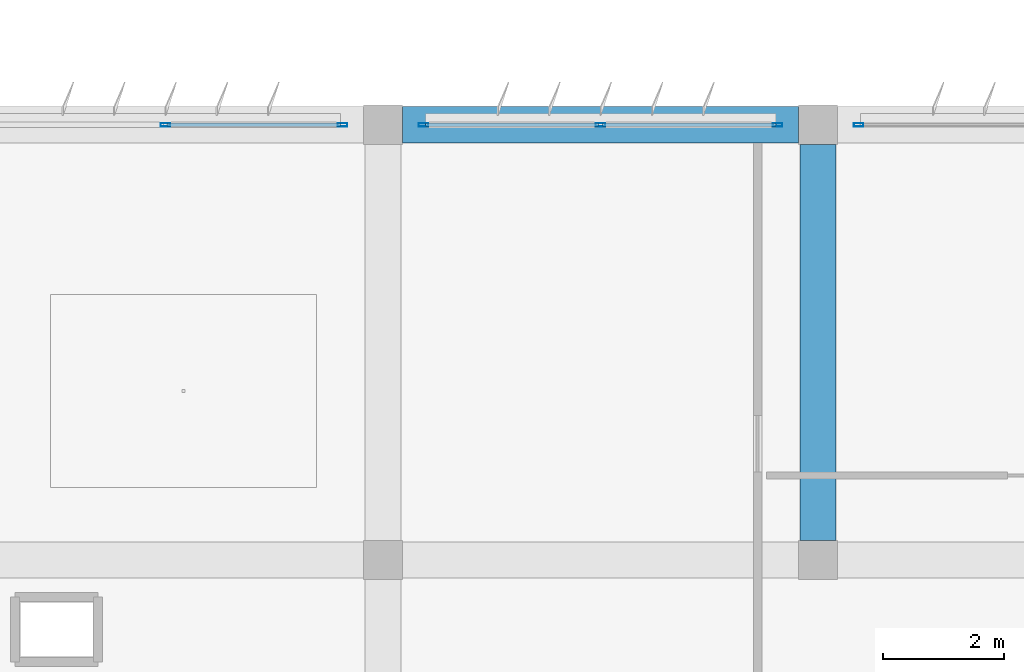
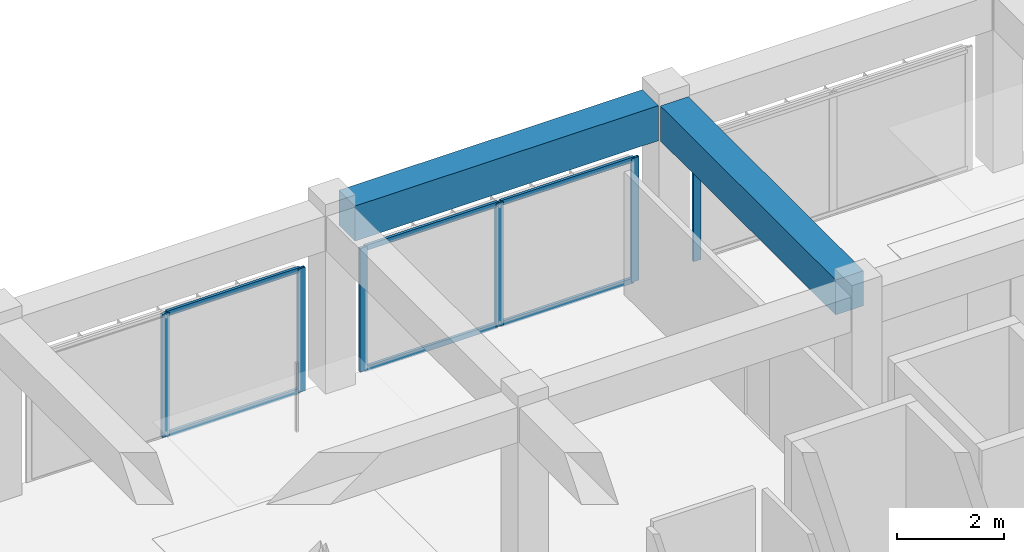
# One storey, part 23 of 53: 12 members, 2 beams, 3 elements without a shape of their own.
"""IFC4 building model written with IfcOpenShell, lengths in metres."""

from ifc_helpers import new_model, si_unit, direction, frame, origin, origin_2d, place, context, subcontext, project, spatial, rectangle, hollow_rectangle, extrude, material, material_profile, profile_set, type_object, element, aggregate, save


model = new_model("IFC4")

# Units and contexts
model_context = context("Model", 3, precision=1e-05, world=origin(), true_north=direction((0.0, 1.0)))
body_context = subcontext(model_context, "Body", "Model", "MODEL_VIEW")
ifc_project = project(units=[si_unit("LENGTHUNIT", "METRE"), si_unit("AREAUNIT", "SQUARE_METRE"), si_unit("VOLUMEUNIT", "CUBIC_METRE"), si_unit("PLANEANGLEUNIT", "RADIAN"), si_unit("MASSUNIT", "GRAM", prefix="KILO")], contexts=[model_context])

# Site, building, storey
site_placement = place(None, origin())
site = spatial("IfcSite", under=ifc_project, at=site_placement, CompositionType="ELEMENT")
building_placement = place(site_placement, origin())
building = spatial("IfcBuilding", under=site, at=building_placement, Name="Kazehaya Institute of Natural Sciences", CompositionType="ELEMENT")
storey_placement = place(building_placement, frame((0.0, 0.0, 33.300048828125)))
storey = spatial("IfcBuildingStorey", under=building, at=storey_placement, Name="L07", CompositionType="ELEMENT", Elevation=33.300048828125)

# Beams
ifc_material_1 = material(Name="Concrete Fc36", Category="concrete")
ifc_material_profile_1 = material_profile(ifc_material_1, rectangle(XDim=0.60009765625, YDim=0.800048828125, at=origin_2d()), Name="RC-600x800")
ifc_profile_set_1 = profile_set([ifc_material_profile_1], Name="Concrete Fc36")
beam_type = type_object("IfcBeamType", Name="BM-G-600x800", PredefinedType="BEAM", material=ifc_profile_set_1)
beam_1_placement = place(storey_placement, frame((90.925048828125, 35.60009765625, 3.64990234375), z_axis=(1.0, 0.0, 0.0), x_axis=(0.0, 1.0, 0.0)))
element("IfcBeam", 1, at=beam_1_placement, inside=storey, type_object=beam_type, Name="L07 primary X girder BMX-L07-906-356", PredefinedType="BEAM", context=body_context, shape_type="SweptSolid", body=[
    extrude(rectangle(XDim=0.60009765625, YDim=0.800048828125, at=origin_2d()), origin(), (0.0, 0.0, 1.0), 6.550048828125),
])
beam_2_placement = place(storey_placement, frame((97.800048828125, 28.72509765625, 3.64990234375), z_axis=(0.0, 1.0, 0.0), x_axis=(-1.0, 0.0, 0.0)))
element("IfcBeam", 2, at=beam_2_placement, inside=storey, type_object=beam_type, Name="L07 primary Y girder BMY-L07-978-284", PredefinedType="BEAM", context=body_context, shape_type="SweptSolid", body=[
    extrude(rectangle(XDim=0.60009765625, YDim=0.800048828125, at=origin_2d()), origin(), (0.0, 0.0, 1.0), 6.5498046875),
])

# Curtain wall, members
ifc_material_2 = material(Name="Aluminium alloy A6063S-T5", Category="aluminium")
curtain_wall_type = type_object("IfcCurtainWallType", Name="CW-SYS-05", PredefinedType="NOTDEFINED", material=ifc_material_2)
curtain_wall_1_placement = place(storey_placement, origin())
curtain_wall_1 = element("IfcCurtainWall", 3, at=curtain_wall_1_placement, inside=storey, type_object=curtain_wall_type, Name="L07 unitised curtain wall CW-L07-161", PredefinedType="NOTDEFINED")
ifc_material_profile_2 = material_profile(ifc_material_2, hollow_rectangle(XDim=0.06005859375, YDim=0.159912109375, WallThickness=0.00390625, at=origin_2d()), Name="ALU-60x160x4")
ifc_profile_set_2 = profile_set([ifc_material_profile_2], Name="Aluminium alloy A6063S-T5")
member_type_1 = type_object("IfcMemberType", Name="CWM-160", PredefinedType="MULLION", material=ifc_profile_set_2)
member_1_placement = place(storey_placement, frame((87.0, 35.60009765625, 0.0), z_axis=(0.0, 0.0, 1.0), x_axis=(0.0, 1.0, 0.0)))
member_1 = element("IfcMember", 4, at=member_1_placement, type_object=member_type_1, Name="CW05 mullion 2", PredefinedType="MULLION", context=body_context, shape_type="SweptSolid", body=[
    extrude(hollow_rectangle(XDim=0.06005859375, YDim=0.159912109375, WallThickness=0.00390625, at=origin_2d()), origin(), (0.0, 0.0, 1.0), 2.820068359375),
])
member_2_placement = place(storey_placement, frame((89.929931640625, 35.60009765625, 0.0), z_axis=(0.0, 0.0, 1.0), x_axis=(0.0, 1.0, 0.0)))
member_2 = element("IfcMember", 5, at=member_2_placement, type_object=member_type_1, Name="CW05 mullion 3", PredefinedType="MULLION", context=body_context, shape_type="SweptSolid", body=[
    extrude(hollow_rectangle(XDim=0.06005859375, YDim=0.159912109375, WallThickness=0.00390625, at=origin_2d()), origin(), (0.0, 0.0, 1.0), 2.820068359375),
])

curtain_wall_2_placement = place(storey_placement, origin())
curtain_wall_2 = element("IfcCurtainWall", 6, at=curtain_wall_2_placement, inside=storey, type_object=curtain_wall_type, Name="L07 unitised curtain wall CW-L07-162", PredefinedType="NOTDEFINED")
member_3_placement = place(storey_placement, frame((91.27001953125, 35.60009765625, 0.0), z_axis=(0.0, 0.0, 1.0), x_axis=(0.0, 1.0, 0.0)))
member_3 = element("IfcMember", 7, at=member_3_placement, type_object=member_type_1, Name="CW05 mullion 1", PredefinedType="MULLION", context=body_context, shape_type="SweptSolid", body=[
    extrude(hollow_rectangle(XDim=0.06005859375, YDim=0.159912109375, WallThickness=0.00390625, at=origin_2d()), origin(), (0.0, 0.0, 1.0), 2.820068359375),
])
member_4_placement = place(storey_placement, frame((94.199951171875, 35.60009765625, 0.0), z_axis=(0.0, 0.0, 1.0), x_axis=(0.0, 1.0, 0.0)))
member_4 = element("IfcMember", 8, at=member_4_placement, type_object=member_type_1, Name="CW05 mullion 2", PredefinedType="MULLION", context=body_context, shape_type="SweptSolid", body=[
    extrude(hollow_rectangle(XDim=0.06005859375, YDim=0.159912109375, WallThickness=0.00390625, at=origin_2d()), origin(), (0.0, 0.0, 1.0), 2.820068359375),
])
member_5_placement = place(storey_placement, frame((97.1298828125, 35.60009765625, 0.0), z_axis=(0.0, 0.0, 1.0), x_axis=(0.0, 1.0, 0.0)))
member_5 = element("IfcMember", 9, at=member_5_placement, type_object=member_type_1, Name="CW05 mullion 3", PredefinedType="MULLION", context=body_context, shape_type="SweptSolid", body=[
    extrude(hollow_rectangle(XDim=0.06005859375, YDim=0.159912109375, WallThickness=0.00390625, at=origin_2d()), origin(), (0.0, 0.0, 1.0), 2.820068359375),
])

# Curtain wall, member
curtain_wall_3_placement = place(storey_placement, origin())
curtain_wall_3 = element("IfcCurtainWall", 10, at=curtain_wall_3_placement, inside=storey, type_object=curtain_wall_type, Name="L07 unitised curtain wall CW-L07-163", PredefinedType="NOTDEFINED")
member_6_placement = place(storey_placement, frame((98.469970703125, 35.60009765625, 0.0), z_axis=(0.0, 0.0, 1.0), x_axis=(0.0, 1.0, 0.0)))
member_6 = element("IfcMember", 11, at=member_6_placement, type_object=member_type_1, Name="CW05 mullion 1", PredefinedType="MULLION", context=body_context, shape_type="SweptSolid", body=[
    extrude(hollow_rectangle(XDim=0.06005859375, YDim=0.159912109375, WallThickness=0.00390625, at=origin_2d()), origin(), (0.0, 0.0, 1.0), 2.820068359375),
])
aggregate(curtain_wall_3, [member_6])

# Member
ifc_material_profile_3 = material_profile(ifc_material_2, hollow_rectangle(XDim=0.06005859375, YDim=0.1201171875, WallThickness=0.00341796875, at=origin_2d()), Name="ALU-60x120x3.5")
ifc_profile_set_3 = profile_set([ifc_material_profile_3], Name="Aluminium alloy A6063S-T5")
member_type_2 = type_object("IfcMemberType", Name="CWT-120", PredefinedType="USERDEFINED", material=ifc_profile_set_3)
member_7_placement = place(storey_placement, frame((87.030029296875, 35.60009765625, 0.030029296875), z_axis=(1.0, 0.0, 0.0), x_axis=(0.0, 1.0, 0.0)))
member_7 = element("IfcMember", 12, at=member_7_placement, type_object=member_type_2, Name="CW05 transom 2.1", ObjectType="TRANSOM", PredefinedType="USERDEFINED", context=body_context, shape_type="SweptSolid", body=[
    extrude(hollow_rectangle(XDim=0.06005859375, YDim=0.1201171875, WallThickness=0.00341796875, at=origin_2d()), origin(), (0.0, 0.0, 1.0), 2.869873046875),
])

member_8_placement = place(storey_placement, frame((87.030029296875, 35.60009765625, 2.7900390625), z_axis=(1.0, 0.0, 0.0), x_axis=(0.0, 1.0, 0.0)))
member_8 = element("IfcMember", 13, at=member_8_placement, type_object=member_type_2, Name="CW05 transom 2.2", ObjectType="TRANSOM", PredefinedType="USERDEFINED", context=body_context, shape_type="SweptSolid", body=[
    extrude(hollow_rectangle(XDim=0.06005859375, YDim=0.1201171875, WallThickness=0.00341796875, at=origin_2d()), origin(), (0.0, 0.0, 1.0), 2.869873046875),
])

aggregate(curtain_wall_1, [member_1, member_2, member_7, member_8])

member_9_placement = place(storey_placement, frame((91.300048828125, 35.60009765625, 0.030029296875), z_axis=(1.0, 0.0, 0.0), x_axis=(0.0, 1.0, 0.0)))
member_9 = element("IfcMember", 14, at=member_9_placement, type_object=member_type_2, Name="CW05 transom 1.1", ObjectType="TRANSOM", PredefinedType="USERDEFINED", context=body_context, shape_type="SweptSolid", body=[
    extrude(hollow_rectangle(XDim=0.06005859375, YDim=0.1201171875, WallThickness=0.00341796875, at=origin_2d()), origin(), (0.0, 0.0, 1.0), 2.869873046875),
])

member_10_placement = place(storey_placement, frame((91.300048828125, 35.60009765625, 2.7900390625), z_axis=(1.0, 0.0, 0.0), x_axis=(0.0, 1.0, 0.0)))
member_10 = element("IfcMember", 15, at=member_10_placement, type_object=member_type_2, Name="CW05 transom 1.2", ObjectType="TRANSOM", PredefinedType="USERDEFINED", context=body_context, shape_type="SweptSolid", body=[
    extrude(hollow_rectangle(XDim=0.06005859375, YDim=0.1201171875, WallThickness=0.00341796875, at=origin_2d()), origin(), (0.0, 0.0, 1.0), 2.869873046875),
])

member_11_placement = place(storey_placement, frame((94.22998046875, 35.60009765625, 0.030029296875), z_axis=(1.0, 0.0, 0.0), x_axis=(0.0, 1.0, 0.0)))
member_11 = element("IfcMember", 16, at=member_11_placement, type_object=member_type_2, Name="CW05 transom 2.1", ObjectType="TRANSOM", PredefinedType="USERDEFINED", context=body_context, shape_type="SweptSolid", body=[
    extrude(hollow_rectangle(XDim=0.06005859375, YDim=0.1201171875, WallThickness=0.00341796875, at=origin_2d()), origin(), (0.0, 0.0, 1.0), 2.8701171875),
])

member_12_placement = place(storey_placement, frame((94.22998046875, 35.60009765625, 2.7900390625), z_axis=(1.0, 0.0, 0.0), x_axis=(0.0, 1.0, 0.0)))
member_12 = element("IfcMember", 17, at=member_12_placement, type_object=member_type_2, Name="CW05 transom 2.2", ObjectType="TRANSOM", PredefinedType="USERDEFINED", context=body_context, shape_type="SweptSolid", body=[
    extrude(hollow_rectangle(XDim=0.06005859375, YDim=0.1201171875, WallThickness=0.00341796875, at=origin_2d()), origin(), (0.0, 0.0, 1.0), 2.8701171875),
])

aggregate(curtain_wall_2, [member_3, member_4, member_5, member_9, member_10, member_11, member_12])

save(model, "model.ifc")
